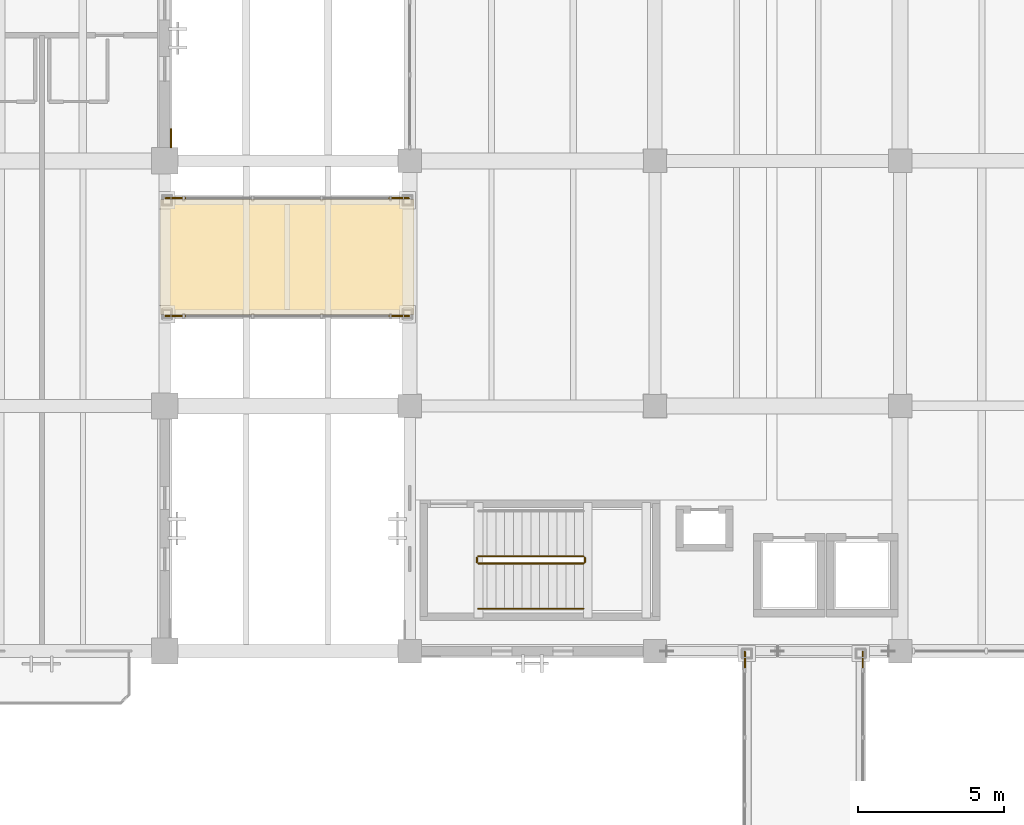
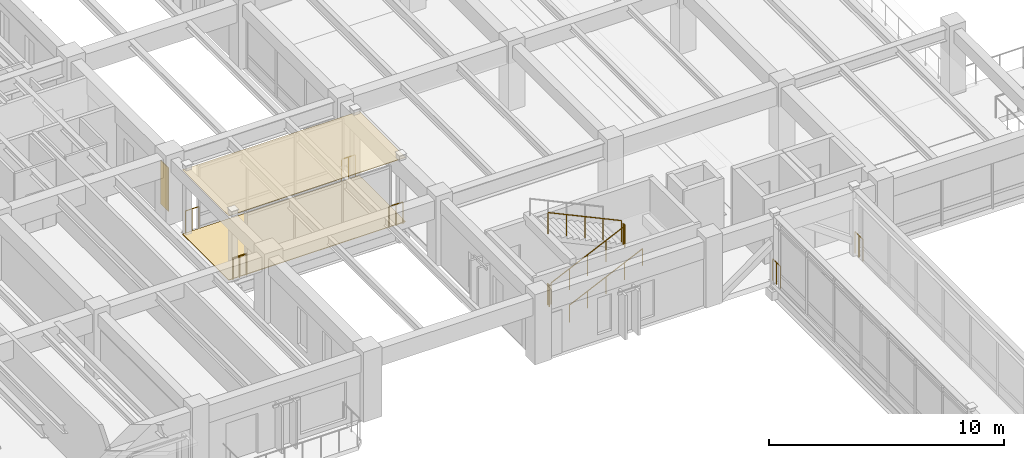
# One storey, part 106 of 118: 11 railings, 3 coverings.
"""IFC4 building model written with IfcOpenShell, lengths in metres."""

import ifcopenshell
import ifcopenshell.guid

model = None  # the IFC model being written
_history = None  # IfcOwnerHistory: only IFC2X3 demands one
_inside = {}  # id of a spatial element -> (the spatial element, [elements in it])
_under = {}  # id of a project, library or spatial element -> (it, [spatial elements below it])
_declared = {}  # id of a project -> (the project, [libraries it declares])
_typed = {}  # id of a type object -> (the type object, [elements of that type])
_made_of = {}  # id of a material, layer set ... -> (it, [elements and type objects made of it])


def new_model(schema):
    """Start an empty IFC model of exactly this schema.

    Asked for "IFC4X3", IfcOpenShell would pick the latest addendum, in which some entities
    have other attributes; the version numbers below select the first issue.
    IFC2X3 requires an IfcOwnerHistory on every rooted entity: one is made here for all.
    """
    global model, _history
    if schema == "IFC4X3":
        model = ifcopenshell.file(schema_version=(4, 3, 0, 0))
    else:
        model = ifcopenshell.file(schema=schema)
    _inside.clear()
    _under.clear()
    _declared.clear()
    _typed.clear()
    _made_of.clear()
    _history = None
    if model.schema == "IFC2X3":
        org = make("IfcOrganization", Name="unknown")
        user = make(
            "IfcPersonAndOrganization",
            ThePerson=make("IfcPerson", FamilyName="unknown"),
            TheOrganization=org,
        )
        app = make(
            "IfcApplication",
            ApplicationDeveloper=org,
            Version="unknown",
            ApplicationFullName="unknown",
            ApplicationIdentifier="unknown",
        )
        _history = make(
            "IfcOwnerHistory",
            OwningUser=user,
            OwningApplication=app,
            ChangeAction="ADDED",
            CreationDate=0,
        )
    return model


def make(cls, **values):
    """One entity of the class cls with the attributes given. An attribute that is None is left unset."""
    return model.create_entity(
        cls, **{name: value for name, value in values.items() if value is not None}
    )


def rooted(cls, **values):
    """An entity with a GlobalId (a new one), such as an element, a storey or a relation."""
    return make(cls, GlobalId=ifcopenshell.guid.new(), OwnerHistory=_history, **values)


def si_unit(unit_type, name, prefix=None):
    """IfcSIUnit, for example si_unit("LENGTHUNIT", "METRE", prefix="MILLI")."""
    return make("IfcSIUnit", UnitType=unit_type, Prefix=prefix, Name=name)


def assignment(units):
    """IfcUnitAssignment: the units of a project."""
    return None if units is None else make("IfcUnitAssignment", Units=units)


def point(xyz):
    """IfcCartesianPoint."""
    return None if xyz is None else make("IfcCartesianPoint", Coordinates=xyz)


def direction(xyz):
    """IfcDirection."""
    return None if xyz is None else make("IfcDirection", DirectionRatios=xyz)


def frame(location, z_axis=None, x_axis=None):
    """IfcAxis2Placement3D, a coordinate frame: its origin and axes. An axis left out is left unset."""
    return make(
        "IfcAxis2Placement3D",
        Location=point(location),
        Axis=direction(z_axis),
        RefDirection=direction(x_axis),
    )


def frame_2d(location, x_axis=None):
    """IfcAxis2Placement2D, a coordinate frame in the plane: its origin and x axis."""
    return make(
        "IfcAxis2Placement2D", Location=point(location), RefDirection=direction(x_axis)
    )


def origin():
    """The frame at (0, 0, 0) with its axes left unset."""
    return frame((0.0, 0.0, 0.0))


def origin_2d():
    """The frame at (0, 0) in the plane with its x axis left unset."""
    return frame_2d((0.0, 0.0))


def place(relative_to, where):
    """IfcLocalPlacement: puts the frame where relative to a parent placement (None: the world)."""
    return make(
        "IfcLocalPlacement", PlacementRelTo=relative_to, RelativePlacement=where
    )


def context(
    kind, dimensions, precision=None, world=None, true_north=None, identifier=None
):
    """IfcGeometricRepresentationContext, for example the 3D "Model" context."""
    return make(
        "IfcGeometricRepresentationContext",
        ContextIdentifier=identifier,
        ContextType=kind,
        CoordinateSpaceDimension=dimensions,
        Precision=precision,
        WorldCoordinateSystem=world,
        TrueNorth=true_north,
    )


def subcontext(parent, identifier, kind, view, scale=None):
    """IfcGeometricRepresentationSubContext, for example "Body" below "Model"."""
    return make(
        "IfcGeometricRepresentationSubContext",
        ContextIdentifier=identifier,
        ContextType=kind,
        ParentContext=parent,
        TargetScale=scale,
        TargetView=view,
    )


def project(units=None, contexts=None):
    """IfcProject with its units and contexts."""
    return rooted(
        "IfcProject",
        Name="project",
        RepresentationContexts=contexts,
        UnitsInContext=assignment(units),
    )


def spatial(cls, under=None, at=None, **own):
    """A site, building, storey or space (cls), placed at a placement, below another one or the project."""
    s = rooted(cls, ObjectPlacement=at, **own)
    if under is not None:
        _under.setdefault(under.id(), (under, []))[1].append(s)
    return s


def polyline(points):
    """IfcPolyline through the points."""
    return make("IfcPolyline", Points=[point(p) for p in points])


def profile(cls, at=None, kind="AREA", **sizes):
    """A parametric profile (cls). Its sizes go by their IFC names, for example OverallWidth=200.0."""
    return make(cls, ProfileType=kind, Position=at, **sizes)


def circle(**sizes):
    """IfcCircleProfileDef."""
    return profile("IfcCircleProfileDef", **sizes)


def outline(outer, holes=None, kind="AREA"):
    """IfcArbitraryClosedProfileDef: a profile drawn as a closed curve; with holes, ...WithVoids."""
    if holes is None:
        return make("IfcArbitraryClosedProfileDef", ProfileType=kind, OuterCurve=outer)
    return make(
        "IfcArbitraryProfileDefWithVoids",
        ProfileType=kind,
        OuterCurve=outer,
        InnerCurves=holes,
    )


def extrude(swept, where, along, depth):
    """IfcExtrudedAreaSolid: the profile swept, set in the frame where, extruded along a direction by depth."""
    return make(
        "IfcExtrudedAreaSolid",
        SweptArea=swept,
        Position=where,
        ExtrudedDirection=direction(along),
        Depth=depth,
    )


def shape(context_of_items, identifier, shape_type, items):
    """IfcShapeRepresentation: the items that make up one representation, for example the "Body"."""
    return make(
        "IfcShapeRepresentation",
        ContextOfItems=context_of_items,
        RepresentationIdentifier=identifier,
        RepresentationType=shape_type,
        Items=items,
    )


def material(Name=None, Category=None):
    """IfcMaterial."""
    return make("IfcMaterial", Name=Name, Category=Category)


def layer(
    of_material, thickness, ventilated=None, Name=None, Category=None, Priority=None
):
    """IfcMaterialLayer: one layer of a wall or slab, of a material (None: an air gap)."""
    return make(
        "IfcMaterialLayer",
        Material=of_material,
        LayerThickness=thickness,
        IsVentilated=ventilated,
        Name=Name,
        Category=Category,
        Priority=Priority,
    )


def layer_set(layers, Name=None):
    """IfcMaterialLayerSet."""
    return make("IfcMaterialLayerSet", MaterialLayers=layers, LayerSetName=Name)


def made_of(thing, what):
    """Note that an element or type object is made of a material, layer set ...; save() writes the relation."""
    if what is not None:
        _made_of.setdefault(what.id(), (what, []))[1].append(thing)
    return thing


def type_object(cls, material=None, **own):
    """A type object (cls), such as IfcWallType, which elements share."""
    return made_of(rooted(cls, **own), material)


def element(
    cls,
    number,
    at=None,
    inside=None,
    cuts=None,
    type_object=None,
    material=None,
    context=None,
    identifier="Body",
    shape_type=None,
    held_by="IfcProductDefinitionShape",
    body=None,
    shapes=None,
    **own,
):
    """One element of the class cls, such as IfcWall. Its Tag is "e" and its number.

    at: its placement. inside: the storey or other place that contains it. cuts: it is an
    opening in that element (IfcRelVoidsElement). A single representation is given by context,
    identifier, shape_type and body (its items); several are given by shapes. held_by: the class
    of the entity that holds the representations. save() writes the other relations.
    """
    e = rooted(cls, Tag="e%d" % number, ObjectPlacement=at, **own)
    if body is not None:
        shapes = [shape(context, identifier, shape_type, body)]
    if shapes is not None:
        e.Representation = make(held_by, Representations=shapes)
    if inside is not None:
        _inside.setdefault(inside.id(), (inside, []))[1].append(e)
    if cuts is not None:
        rooted(
            "IfcRelVoidsElement", RelatingBuildingElement=cuts, RelatedOpeningElement=e
        )
    if type_object is not None:
        _typed.setdefault(type_object.id(), (type_object, []))[1].append(e)
    return made_of(e, material)


def aggregate(whole, parts):
    """IfcRelAggregates: a whole, such as a stair, and the parts it consists of."""
    return rooted("IfcRelAggregates", RelatingObject=whole, RelatedObjects=parts)


def save(model, path):
    """Write the relations noted so far, then the file.

    IfcRelAggregates (storeys below a building ...), IfcRelContainedInSpatialStructure (elements
    in a storey), IfcRelDefinesByType, IfcRelAssociatesMaterial and IfcRelDeclares: one each for
    every whole, place, type object, material and project.
    """
    for whole, parts in _under.values():
        aggregate(whole, parts)
    for where, things in _inside.values():
        rooted(
            "IfcRelContainedInSpatialStructure",
            RelatedElements=things,
            RelatingStructure=where,
        )
    for kind, things in _typed.values():
        rooted("IfcRelDefinesByType", RelatedObjects=things, RelatingType=kind)
    for what, things in _made_of.values():
        rooted("IfcRelAssociatesMaterial", RelatedObjects=things, RelatingMaterial=what)
    for by, libraries in _declared.values():
        rooted("IfcRelDeclares", RelatingContext=by, RelatedDefinitions=libraries)
    model.write(path)


model = new_model("IFC4")

# Units and contexts
model_context = context("Model", 3, precision=1e-05, world=origin(), true_north=direction((0.0, 1.0)))
body_context = subcontext(model_context, "Body", "Model", "MODEL_VIEW")
ifc_project = project(units=[si_unit("LENGTHUNIT", "METRE"), si_unit("AREAUNIT", "SQUARE_METRE"), si_unit("VOLUMEUNIT", "CUBIC_METRE"), si_unit("PLANEANGLEUNIT", "RADIAN"), si_unit("MASSUNIT", "GRAM", prefix="KILO")], contexts=[model_context])

# Site, building, storey
site_placement = place(None, origin())
site = spatial("IfcSite", under=ifc_project, at=site_placement, CompositionType="ELEMENT")
building_placement = place(site_placement, origin())
building = spatial("IfcBuilding", under=site, at=building_placement, Name="Cumbredor Promenade Congress Hotel", CompositionType="ELEMENT")
storey_placement = place(building_placement, frame((0.0, 0.0, 3.919921875)))
storey = spatial("IfcBuildingStorey", under=building, at=storey_placement, Name="L01", CompositionType="ELEMENT", Elevation=3.919921875)

# Coverings
ifc_material_1 = material(Name="Acoustic mineral-fiber and gypsum ceiling")
ifc_layer_1 = layer(ifc_material_1, 0.028076171875, Name="Acoustic mineral-fiber and gypsum ceiling")
ifc_layer_set_1 = layer_set([ifc_layer_1], Name="Acoustic mineral-fiber and gypsum ceiling")
covering_type_1 = type_object("IfcCoveringType", Name="Acoustic Perforated Gypsum Ceiling CLG-03 28mm", PredefinedType="CEILING", material=ifc_layer_set_1)
covering_1_placement = place(storey_placement, frame((0.0, 0.0, 3.33203125)))
element("IfcCovering", 1, at=covering_1_placement, inside=storey, type_object=covering_type_1, Name="L01 North Hotel-to-Forum Glazed Bridge Concourse Acoustic Ceiling", PredefinedType="CEILING", context=body_context, shape_type="SweptSolid", body=[
    extrude(outline(polyline([(83.860107421875, 95.530029296875), (83.860107421875, 99.469970703125), (92.5400390625, 99.469970703125), (92.5400390625, 95.530029296875), (83.860107421875, 95.530029296875)])), origin(), (0.0, 0.0, 1.0), 0.028076171875),
])
ifc_material_2 = material(Name="Precast concrete C40/50", Category="concrete")
ifc_layer_2 = layer(ifc_material_2, 0.044921875, Name="Precast concrete C40/50", Category="concrete")
ifc_layer_set_2 = layer_set([ifc_layer_2], Name="Precast concrete C40/50")
covering_type_2 = type_object("IfcCoveringType", Name="Board-Formed Architectural Cladding Panel 45mm", PredefinedType="CLADDING", material=ifc_layer_set_2)
covering_2_placement = place(storey_placement, origin())
element("IfcCovering", 2, at=covering_2_placement, inside=storey, type_object=covering_type_2, Name="L01 Facade Stone Cladding Pier 092", PredefinedType="CLADDING", context=body_context, shape_type="SweptSolid", body=[
    extrude(outline(polyline([(84.18994140625, 101.2509765625), (84.18994140625, 101.90087890625), (84.235107421875, 101.90087890625), (84.235107421875, 101.2509765625), (84.18994140625, 101.2509765625)])), origin(), (0.0, 0.0, 1.0), 2.25),
])

# Railings
ifc_material_3 = material(Name="Brushed stainless steel", Category="steel")
railing_type_1 = type_object("IfcRailingType", Name="Interior Void & Stair Guardrail GR-1100", PredefinedType="GUARDRAIL", material=ifc_material_3)
railing_1_placement = place(storey_placement, frame((94.75, 87.0, 0.14013671875)))
element("IfcRailing", 3, at=railing_1_placement, inside=storey, type_object=railing_type_1, Name="L01 ST-13 stair guard 1", PredefinedType="GUARDRAIL", context=body_context, shape_type="SweptSolid", body=[
    extrude(circle(Radius=0.02392578125, at=origin_2d()), frame((0.0, 0.0, 1.09619140625), z_axis=(0.906194129559, 0.0, 0.422861915468), x_axis=(0.0, 1.0, 0.0)), (0.0, 0.0, 1.0), 3.97265625),
    extrude(circle(Radius=0.02099609375, at=origin_2d()), origin(), (0.0, 0.0, 1.0), 1.072021484375),
    extrude(circle(Radius=0.02099609375, at=origin_2d()), frame((0.89990234375, 0.0, 0.419921875)), (0.0, 0.0, 1.0), 1.072021484375),
    extrude(circle(Radius=0.02099609375, at=origin_2d()), frame((1.800048828125, 0.0, 0.83984375)), (0.0, 0.0, 1.0), 1.072021484375),
    extrude(circle(Radius=0.02099609375, at=origin_2d()), frame((2.7001953125, 0.0, 1.260009765625)), (0.0, 0.0, 1.0), 1.072021484375),
    extrude(circle(Radius=0.02099609375, at=origin_2d()), frame((3.60009765625, 0.0, 1.679931640625)), (0.0, 0.0, 1.0), 1.072021484375),
])
railing_2_placement = place(storey_placement, frame((98.39990234375, 87.050048828125, 1.820068359375)))
element("IfcRailing", 4, at=railing_2_placement, inside=storey, type_object=railing_type_1, Name="L01 ST-13 stair guard 2", PredefinedType="GUARDRAIL", context=body_context, shape_type="SweptSolid", body=[
    extrude(circle(Radius=0.02392578125, at=origin_2d()), frame((0.0, 0.0, 1.09619140625), z_axis=(0.0, 1.0, 0.0), x_axis=(-1.0, 0.0, 0.0)), (0.0, 0.0, 1.0), 0.14990234375),
    extrude(circle(Radius=0.02099609375, at=origin_2d()), origin(), (0.0, 0.0, 1.0), 1.072021484375),
    extrude(circle(Radius=0.02099609375, at=origin_2d()), frame((0.0, 0.14990234375, 0.0)), (0.0, 0.0, 1.0), 1.072021484375),
])
railing_3_placement = place(storey_placement, frame((98.35009765625, 87.25, 1.9599609375)))
element("IfcRailing", 5, at=railing_3_placement, inside=storey, type_object=railing_type_1, Name="L01 ST-13 stair guard 3", PredefinedType="GUARDRAIL", context=body_context, shape_type="SweptSolid", body=[
    extrude(circle(Radius=0.02392578125, at=origin_2d()), frame((0.0, 0.0, 1.09619140625), z_axis=(-0.906170580071, 0.0, 0.422912378411), x_axis=(0.0, -1.0, 0.0)), (0.0, 0.0, 1.0), 3.972900390625),
    extrude(circle(Radius=0.02099609375, at=origin_2d()), origin(), (0.0, 0.0, 1.0), 1.072021484375),
    extrude(circle(Radius=0.02099609375, at=origin_2d()), frame((-0.89990234375, 0.0, 0.419921875)), (0.0, 0.0, 1.0), 1.072021484375),
    extrude(circle(Radius=0.02099609375, at=origin_2d()), frame((-1.800048828125, 0.0, 0.840087890625)), (0.0, 0.0, 1.0), 1.072021484375),
    extrude(circle(Radius=0.02099609375, at=origin_2d()), frame((-2.7001953125, 0.0, 1.26025390625)), (0.0, 0.0, 1.0), 1.072021484375),
    extrude(circle(Radius=0.02099609375, at=origin_2d()), frame((-3.60009765625, 0.0, 1.68017578125)), (0.0, 0.0, 1.0), 1.072021484375),
])
railing_4_placement = place(storey_placement, frame((94.699951171875, 87.050048828125, 0.0)))
element("IfcRailing", 6, at=railing_4_placement, inside=storey, type_object=railing_type_1, Name="L01 ST-13 stair guard 4", PredefinedType="GUARDRAIL", context=body_context, shape_type="SweptSolid", body=[
    extrude(circle(Radius=0.02392578125, at=origin_2d()), frame((0.0, 0.0, 1.09619140625), z_axis=(0.0, 1.0, 0.0), x_axis=(-1.0, 0.0, 0.0)), (0.0, 0.0, 1.0), 0.14990234375),
    extrude(circle(Radius=0.02099609375, at=origin_2d()), origin(), (0.0, 0.0, 1.0), 1.072021484375),
    extrude(circle(Radius=0.02099609375, at=origin_2d()), frame((0.0, 0.14990234375, 0.0)), (0.0, 0.0, 1.0), 1.072021484375),
])

# Covering
ifc_material_4 = material(Name="Porcelain stoneware tile", Category="masonry")
ifc_layer_3 = layer(ifc_material_4, 0.030029296875, Name="Porcelain stoneware tile", Category="masonry")
ifc_layer_set_3 = layer_set([ifc_layer_3], Name="Porcelain stoneware tile")
covering_type_3 = type_object("IfcCoveringType", Name="Porcelain Stoneware Flooring FLR-03 30mm", PredefinedType="FLOORING", material=ifc_layer_set_3)
covering_3_placement = place(storey_placement, origin())
element("IfcCovering", 7, at=covering_3_placement, inside=storey, type_object=covering_type_3, Name="L01 North Hotel-to-Forum Glazed Bridge Concourse Porcelain Flooring", PredefinedType="FLOORING", context=body_context, shape_type="SweptSolid", body=[
    extrude(outline(polyline([(83.860107421875, 95.530029296875), (83.860107421875, 99.469970703125), (92.5400390625, 99.469970703125), (92.5400390625, 95.530029296875), (83.860107421875, 95.530029296875)])), origin(), (0.0, 0.0, 1.0), 0.030029296875),
])

# Railings
railing_type_2 = type_object("IfcRailingType", Name="Sky Garden Glass-and-Steel Balustrade BAL-1150", PredefinedType="BALUSTRADE", material=ifc_material_3)
for number, where, name in (
    (8, (103.8798828125, 83.300048828125, 0.0), "L01 Central Reflecting-Pool Promenade Bridge End Guardrail NW"),
    (9, (107.919921875, 83.300048828125, 0.0), "L01 Central Reflecting-Pool Promenade Bridge End Guardrail NE"),
):
    element("IfcRailing", number, at=place(storey_placement, frame(where)), inside=storey, type_object=railing_type_2, Name=name, PredefinedType="BALUSTRADE", context=body_context, shape_type="SweptSolid", body=[
        extrude(circle(Radius=0.02392578125, at=origin_2d()), frame((0.0, 0.0, 1.1259765625), z_axis=(0.0, 1.0, 0.0), x_axis=(-1.0, 0.0, 0.0)), (0.0, 0.0, 1.0), 0.669921875),
        extrude(circle(Radius=0.02099609375, at=origin_2d()), origin(), (0.0, 0.0, 1.0), 1.101806640625),
        extrude(circle(Radius=0.02099609375, at=origin_2d()), frame((0.0, 0.3349609375, 0.0)), (0.0, 0.0, 1.0), 1.101806640625),
        extrude(circle(Radius=0.02099609375, at=origin_2d()), frame((0.0, 0.669921875, 0.0)), (0.0, 0.0, 1.0), 1.101806640625),
    ])
for number, where, name in (
    (10, (84.030029296875, 95.47998046875, 0.0), "L01 North Hotel-to-Forum Glazed Bridge End Guardrail WS"),
    (11, (84.030029296875, 99.52001953125, 0.0), "L01 North Hotel-to-Forum Glazed Bridge End Guardrail WN"),
):
    element("IfcRailing", number, at=place(storey_placement, frame(where)), inside=storey, type_object=railing_type_2, Name=name, PredefinedType="BALUSTRADE", context=body_context, shape_type="SweptSolid", body=[
        extrude(circle(Radius=0.02392578125, at=origin_2d()), frame((0.0, 0.0, 1.1259765625), z_axis=(1.0, 0.0, 0.0), x_axis=(0.0, 1.0, 0.0)), (0.0, 0.0, 1.0), 0.669921875),
        extrude(circle(Radius=0.02099609375, at=origin_2d()), origin(), (0.0, 0.0, 1.0), 1.101806640625),
        extrude(circle(Radius=0.02099609375, at=origin_2d()), frame((0.3349609375, 0.0, 0.0)), (0.0, 0.0, 1.0), 1.101806640625),
        extrude(circle(Radius=0.02099609375, at=origin_2d()), frame((0.669921875, 0.0, 0.0)), (0.0, 0.0, 1.0), 1.101806640625),
    ])
for number, where, name in (
    (12, (91.699951171875, 95.47998046875, 0.0), "L01 North Hotel-to-Forum Glazed Bridge End Guardrail ES"),
    (13, (91.699951171875, 99.52001953125, 0.0), "L01 North Hotel-to-Forum Glazed Bridge End Guardrail EN"),
):
    element("IfcRailing", number, at=place(storey_placement, frame(where)), inside=storey, type_object=railing_type_2, Name=name, PredefinedType="BALUSTRADE", context=body_context, shape_type="SweptSolid", body=[
        extrude(circle(Radius=0.02392578125, at=origin_2d()), frame((0.0, 0.0, 1.1259765625), z_axis=(1.0, 0.0, 0.0), x_axis=(0.0, 1.0, 0.0)), (0.0, 0.0, 1.0), 0.670166015625),
        extrude(circle(Radius=0.02099609375, at=origin_2d()), origin(), (0.0, 0.0, 1.0), 1.101806640625),
        extrude(circle(Radius=0.02099609375, at=origin_2d()), frame((0.3349609375, 0.0, 0.0)), (0.0, 0.0, 1.0), 1.101806640625),
        extrude(circle(Radius=0.02099609375, at=origin_2d()), frame((0.670166015625, 0.0, 0.0)), (0.0, 0.0, 1.0), 1.101806640625),
    ])
railing_type_3 = type_object("IfcRailingType", Name="Stair Pitch Handrail HR-900", PredefinedType="HANDRAIL", material=ifc_material_3)
railing_5_placement = place(storey_placement, frame((94.75, 85.449951171875, 0.14013671875)))
element("IfcRailing", 14, at=railing_5_placement, inside=storey, type_object=railing_type_3, Name="L01 ST-13 stair handrail 1", PredefinedType="HANDRAIL", context=body_context, shape_type="SweptSolid", body=[
    extrude(circle(Radius=0.02392578125, at=origin_2d()), frame((0.0, 0.0, 0.8759765625), z_axis=(0.906194129559, 0.0, 0.422861915468), x_axis=(0.0, 1.0, 0.0)), (0.0, 0.0, 1.0), 3.97265625),
    extrude(circle(Radius=0.02099609375, at=origin_2d()), origin(), (0.0, 0.0, 1.0), 0.851806640625),
    extrude(circle(Radius=0.02099609375, at=origin_2d()), frame((0.89990234375, 0.0, 0.419921875)), (0.0, 0.0, 1.0), 0.851806640625),
    extrude(circle(Radius=0.02099609375, at=origin_2d()), frame((1.800048828125, 0.0, 0.83984375)), (0.0, 0.0, 1.0), 0.851806640625),
    extrude(circle(Radius=0.02099609375, at=origin_2d()), frame((2.7001953125, 0.0, 1.260009765625)), (0.0, 0.0, 1.0), 0.851806640625),
    extrude(circle(Radius=0.02099609375, at=origin_2d()), frame((3.60009765625, 0.0, 1.679931640625)), (0.0, 0.0, 1.0), 0.851806640625),
])

save(model, "model.ifc")
